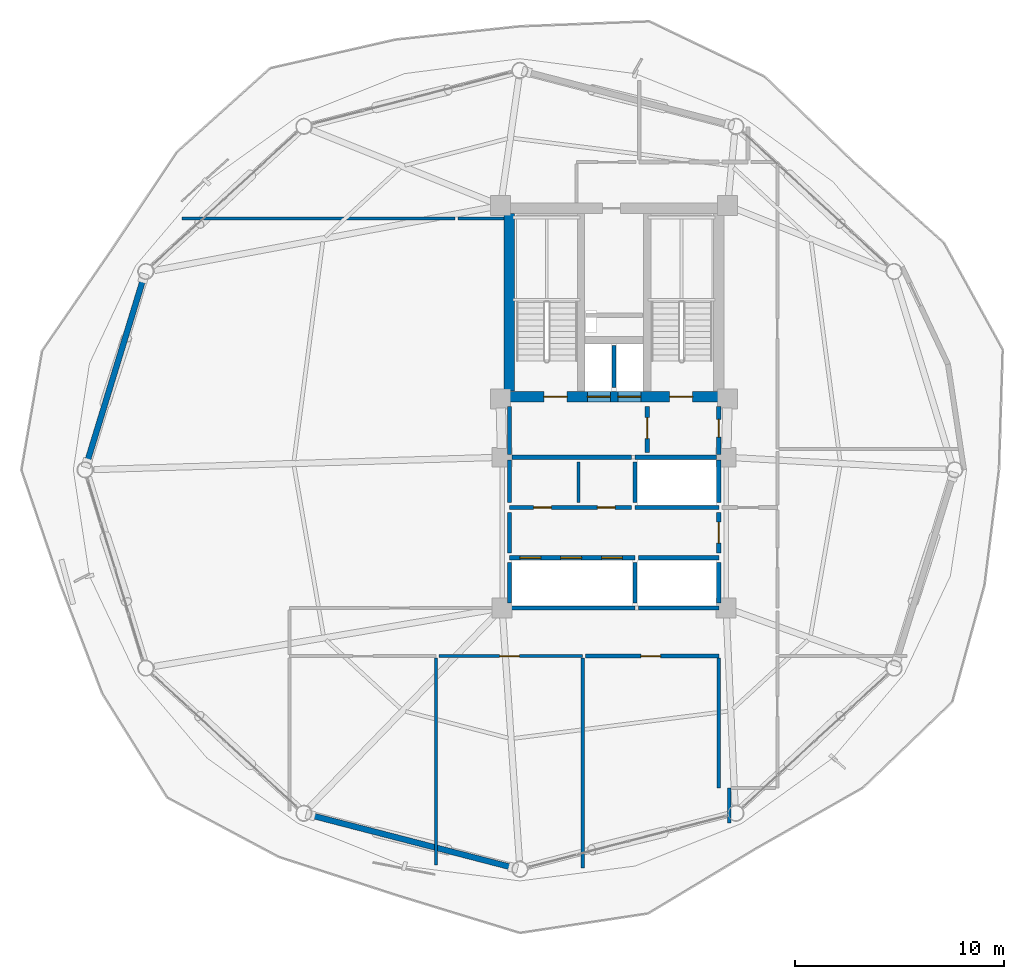
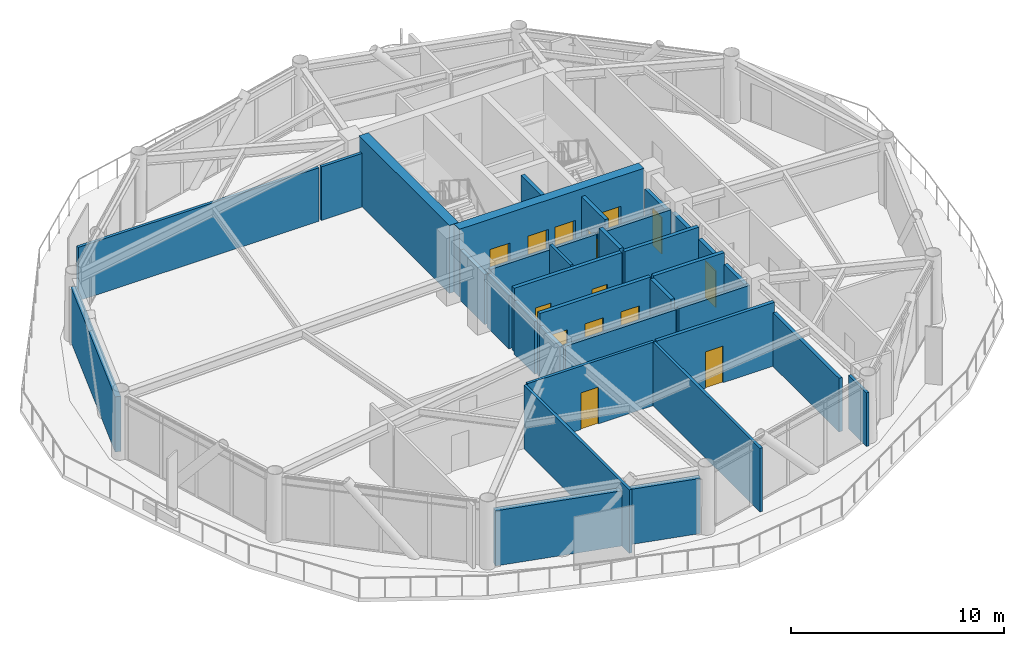
# One storey, part 18 of 23: 33 walls, 14 doors, 14 openings.
"""IFC4 building model written with IfcOpenShell, lengths in metres."""

from ifc_helpers import new_model, si_unit, direction, frame, frame_2d, origin, place, context, subcontext, project, spatial, rectangle, extrude, material, layer, layer_set, type_object, element, fill, save


model = new_model("IFC4")

# Units and contexts
model_context = context("Model", 3, precision=1e-05, world=origin(), true_north=direction((0.0, 1.0)))
body_context = subcontext(model_context, "Body", "Model", "MODEL_VIEW")
ifc_project = project(units=[si_unit("LENGTHUNIT", "METRE"), si_unit("AREAUNIT", "SQUARE_METRE"), si_unit("VOLUMEUNIT", "CUBIC_METRE"), si_unit("PLANEANGLEUNIT", "RADIAN"), si_unit("MASSUNIT", "GRAM", prefix="KILO")], contexts=[model_context])

# Site, building, storey
site_placement = place(None, origin())
site = spatial("IfcSite", under=ifc_project, at=site_placement, CompositionType="ELEMENT")
building_placement = place(site_placement, origin())
building = spatial("IfcBuilding", under=site, at=building_placement, Name="Varnakorn Sky Granary", CompositionType="ELEMENT")
storey_placement = place(building_placement, frame((0.0, 0.0, 150.0)))
storey = spatial("IfcBuildingStorey", under=building, at=storey_placement, Name="L37", CompositionType="ELEMENT", Elevation=150.0)

# Wall, openings, doors
ifc_material_1 = material(Name="Concrete C60/75", Category="concrete")
ifc_layer_1 = layer(ifc_material_1, 0.5, Name="Concrete C60/75")
ifc_layer_set_1 = layer_set([ifc_layer_1], Name="Concrete C60/75")
wall_type_1 = type_object("IfcWallType", Name="WT-CW-SHEAR-500", PredefinedType="SHEAR", material=ifc_layer_set_1)
wall_1_placement = place(storey_placement, frame((-2.0, 3.5, 0.0), z_axis=(0.0, 0.0, 1.0), x_axis=(1.0, 0.0, 0.0)))
wall_1 = element("IfcWall", 1, at=wall_1_placement, inside=storey, type_object=wall_type_1, Name="Core South Shear Wall L37", PredefinedType="SHEAR", context=body_context, shape_type="SweptSolid", body=[
    extrude(rectangle(XDim=10.0, YDim=0.5, at=frame_2d((5.0, 0.0))), origin(), (0.0, 0.0, 1.0), 3.89208984375),
])
opening_1_placement = place(wall_1_placement, frame((1.64990234375, 0.0, 0.0)))
opening_1 = element("IfcOpeningElement", 2, at=opening_1_placement, cuts=wall_1, Name="Opening FD-90", PredefinedType="OPENING", context=body_context, shape_type="SweptSolid", body=[
    extrude(rectangle(XDim=1.10009765625, YDim=2.14990234375, at=frame_2d((0.550048828125, 1.074951171875))), frame((0.0, 0.260009765625, 0.0), z_axis=(0.0, -1.0, 0.0), x_axis=(1.0, 0.0, 0.0)), (0.0, 0.0, 1.0), 0.52001953125),
])
opening_2_placement = place(wall_1_placement, frame((7.64990234375, 0.0, 0.0)))
opening_2 = element("IfcOpeningElement", 3, at=opening_2_placement, cuts=wall_1, Name="Opening FD-90", PredefinedType="OPENING", context=body_context, shape_type="SweptSolid", body=[
    extrude(rectangle(XDim=1.10009765625, YDim=2.14990234375, at=frame_2d((0.550048828125, 1.074951171875))), frame((0.0, 0.260009765625, 0.0), z_axis=(0.0, -1.0, 0.0), x_axis=(1.0, 0.0, 0.0)), (0.0, 0.0, 1.0), 0.52001953125),
])
opening_3_placement = place(wall_1_placement, frame((3.719970703125, 0.0, 0.0)))
opening_3 = element("IfcOpeningElement", 4, at=opening_3_placement, cuts=wall_1, Name="Opening LD-01", PredefinedType="OPENING", context=body_context, shape_type="SweptSolid", body=[
    extrude(rectangle(XDim=1.10009765625, YDim=2.199951171875, at=frame_2d((0.550048828125, 1.10009765625))), frame((0.0, 0.260009765625, 0.0), z_axis=(0.0, -1.0, 0.0), x_axis=(1.0, 0.0, 0.0)), (0.0, 0.0, 1.0), 0.52001953125),
])
opening_4_placement = place(wall_1_placement, frame((5.179931640625, 0.0, 0.0)))
opening_4 = element("IfcOpeningElement", 5, at=opening_4_placement, cuts=wall_1, Name="Opening LD-01", PredefinedType="OPENING", context=body_context, shape_type="SweptSolid", body=[
    extrude(rectangle(XDim=1.10009765625, YDim=2.199951171875, at=frame_2d((0.550048828125, 1.10009765625))), frame((0.0, 0.260009765625, 0.0), z_axis=(0.0, -1.0, 0.0), x_axis=(1.0, 0.0, 0.0)), (0.0, 0.0, 1.0), 0.52001953125),
])
ifc_material_2 = material(Name="Brushed Bronze Stainless Steel", Category="steel")
door_type_1 = type_object("IfcDoorType", Name="DR-LD-1100", OperationType="DOUBLE_DOOR_SLIDING", PredefinedType="DOOR", material=ifc_material_2)
door_1_placement = place(opening_3_placement, origin())
door_1 = element("IfcDoor", 6, at=door_1_placement, inside=storey, type_object=door_type_1, Name="Firefighting Lift FFL-1 Landing Door L37", OperationType="DOUBLE_DOOR_SLIDING", OverallHeight=2.199951171875, OverallWidth=1.10009765625, PredefinedType="DOOR", context=body_context, shape_type="SweptSolid", body=[
    extrude(rectangle(XDim=1.10009765625, YDim=2.199951171875, at=frame_2d((0.550048828125, 1.10009765625))), frame((0.0, 0.02490234375, 0.0), z_axis=(0.0, -1.0, 0.0), x_axis=(1.0, 0.0, 0.0)), (0.0, 0.0, 1.0), 0.050048828125),
])
fill(opening_3, door_1)
door_2_placement = place(opening_4_placement, origin())
door_2 = element("IfcDoor", 7, at=door_2_placement, inside=storey, type_object=door_type_1, Name="Firefighting Lift FFL-2 Landing Door L37", OperationType="DOUBLE_DOOR_SLIDING", OverallHeight=2.199951171875, OverallWidth=1.10009765625, PredefinedType="DOOR", context=body_context, shape_type="SweptSolid", body=[
    extrude(rectangle(XDim=1.10009765625, YDim=2.199951171875, at=frame_2d((0.550048828125, 1.10009765625))), frame((0.0, 0.02490234375, 0.0), z_axis=(0.0, -1.0, 0.0), x_axis=(1.0, 0.0, 0.0)), (0.0, 0.0, 1.0), 0.050048828125),
])
fill(opening_4, door_2)
ifc_material_3 = material(Name="Galvanised Painted Steel Leaf", Category="steel")
door_type_2 = type_object("IfcDoorType", Name="DR-STAIR-1100", OperationType="NOTDEFINED", PredefinedType="DOOR", material=ifc_material_3)
door_3_placement = place(opening_1_placement, origin())
door_3 = element("IfcDoor", 8, at=door_3_placement, inside=storey, type_object=door_type_2, Name="Stair ST-1 Protected Fire Door L37", OperationType="SINGLE_SWING_LEFT", OverallHeight=2.14990234375, OverallWidth=1.10009765625, PredefinedType="DOOR", context=body_context, shape_type="SweptSolid", body=[
    extrude(rectangle(XDim=1.10009765625, YDim=2.14990234375, at=frame_2d((0.550048828125, 1.074951171875))), frame((0.0, 0.02490234375, 0.0), z_axis=(0.0, -1.0, 0.0), x_axis=(1.0, 0.0, 0.0)), (0.0, 0.0, 1.0), 0.050048828125),
])
fill(opening_1, door_3)
door_4_placement = place(opening_2_placement, origin())
door_4 = element("IfcDoor", 9, at=door_4_placement, inside=storey, type_object=door_type_2, Name="Stair ST-2 Protected Fire Door L37", OperationType="SINGLE_SWING_RIGHT", OverallHeight=2.14990234375, OverallWidth=1.10009765625, PredefinedType="DOOR", context=body_context, shape_type="SweptSolid", body=[
    extrude(rectangle(XDim=1.10009765625, YDim=2.14990234375, at=frame_2d((0.550048828125, 1.074951171875))), frame((0.0, 0.02490234375, 0.0), z_axis=(0.0, -1.0, 0.0), x_axis=(1.0, 0.0, 0.0)), (0.0, 0.0, 1.0), 0.050048828125),
])
fill(opening_2, door_4)

# Walls
wall_2_placement = place(storey_placement, frame((-2.0, 3.760009765625, 0.0), z_axis=(0.0, 0.0, 1.0), x_axis=(0.0, 1.0, 0.0)))
element("IfcWall", 10, at=wall_2_placement, inside=storey, type_object=wall_type_1, Name="Core West Shear Wall L37", PredefinedType="SHEAR", context=body_context, shape_type="SweptSolid", body=[
    extrude(rectangle(XDim=8.47998046875, YDim=0.5, at=frame_2d((4.239990234375, 0.0))), origin(), (0.0, 0.0, 1.0), 3.89208984375),
])
ifc_material_4 = material(Name="Precast concrete C40/50", Category="concrete")
ifc_layer_2 = layer(ifc_material_4, 0.280029296875, Name="Precast concrete C40/50")
ifc_layer_set_2 = layer_set([ifc_layer_2], Name="Precast concrete C40/50")
wall_type_2 = type_object("IfcWallType", Name="WT-EW-CRN-280", PredefinedType="SOLIDWALL", material=ifc_layer_set_2)
wall_3_placement = place(storey_placement, frame((-22.1845703125, 0.3212890625, 0.0), z_axis=(0.0, 0.0, 1.0), x_axis=(0.29274484374, 0.956190596306, 0.0)))
element("IfcWall", 11, at=wall_3_placement, inside=storey, type_object=wall_type_2, Name="Agritech Insulated Precast Facade Wall L37-P06", PredefinedType="SOLIDWALL", context=body_context, shape_type="SweptSolid", body=[
    extrude(rectangle(XDim=9.23876953125, YDim=0.280029296875, at=frame_2d((4.619384765625, 0.0))), origin(), (0.0, 0.0, 1.0), 3.159912109375),
])
wall_4_placement = place(storey_placement, frame((-1.8251953125, -19.003662109375, 0.0), z_axis=(0.0, 0.0, 1.0), x_axis=(-0.968054026721, 0.250741702452, 0.0)))
element("IfcWall", 12, at=wall_4_placement, inside=storey, type_object=wall_type_2, Name="Agritech Insulated Precast Facade Wall L37-P09", PredefinedType="SOLIDWALL", context=body_context, shape_type="SweptSolid", body=[
    extrude(rectangle(XDim=9.992919921875, YDim=0.280029296875, at=frame_2d((4.99658203125, 0.0))), origin(), (0.0, 0.0, 1.0), 3.159912109375),
])

# Wall, opening, door
ifc_material_5 = material(Name="Autoclaved Aerated Concrete Blockwork", Category="masonry")
ifc_layer_3 = layer(ifc_material_5, 0.199951171875, Name="Autoclaved Aerated Concrete Blockwork")
ifc_layer_set_3 = layer_set([ifc_layer_3], Name="Autoclaved Aerated Concrete Blockwork")
wall_type_3 = type_object("IfcWallType", Name="WT-FIRE-200", PredefinedType="MOVABLE", material=ifc_layer_set_3)
wall_5_placement = place(storey_placement, frame((4.580078125, 0.830078125, 0.0), z_axis=(0.0, 0.0, 1.0), x_axis=(0.0, 1.0, 0.0)))
wall_5 = element("IfcWall", 13, at=wall_5_placement, inside=storey, type_object=wall_type_3, Name="Interior Partition Wall L37-014", PredefinedType="MOVABLE", context=body_context, shape_type="SweptSolid", body=[
    extrude(rectangle(XDim=2.18994140625, YDim=0.199951171875, at=frame_2d((1.094970703125, 0.0))), origin(), (0.0, 0.0, 1.0), 3.639892578125),
])
opening_5_placement = place(wall_5_placement, frame((0.659912109375, 0.0, 0.0)))
opening_5 = element("IfcOpeningElement", 14, at=opening_5_placement, cuts=wall_5, Name="Opening FD-60", PredefinedType="OPENING", context=body_context, shape_type="SweptSolid", body=[
    extrude(rectangle(XDim=1.0, YDim=2.10009765625, at=frame_2d((0.5, 1.050048828125))), frame((0.0, 0.10986328125, 0.0), z_axis=(0.0, -1.0, 0.0), x_axis=(1.0, 0.0, 0.0)), (0.0, 0.0, 1.0), 0.219970703125),
])
ifc_material_6 = material(Name="Acoustic Timber Fire Leaf", Category="wood")
door_type_3 = type_object("IfcDoorType", Name="DR-FD60-1000", OperationType="NOTDEFINED", PredefinedType="DOOR", material=ifc_material_6)
door_5_placement = place(opening_5_placement, origin())
door_5 = element("IfcDoor", 15, at=door_5_placement, inside=storey, type_object=door_type_3, Name="Interior Door L37-014-1", OperationType="SINGLE_SWING_RIGHT", OverallHeight=2.10009765625, OverallWidth=1.0, PredefinedType="DOOR", context=body_context, shape_type="SweptSolid", body=[
    extrude(rectangle(XDim=1.0, YDim=2.10009765625, at=frame_2d((0.5, 1.050048828125))), frame((0.0, 0.02490234375, 0.0), z_axis=(0.0, -1.0, 0.0), x_axis=(1.0, 0.0, 0.0)), (0.0, 0.0, 1.0), 0.050048828125),
])
fill(opening_5, door_5)

wall_6_placement = place(storey_placement, frame((8.0, 0.719970703125, 0.0), z_axis=(0.0, 0.0, 1.0), x_axis=(0.0, 1.0, 0.0)))
wall_6 = element("IfcWall", 16, at=wall_6_placement, inside=storey, type_object=wall_type_3, Name="Interior Partition Wall L37-015", PredefinedType="MOVABLE", context=body_context, shape_type="SweptSolid", body=[
    extrude(rectangle(XDim=2.300048828125, YDim=0.199951171875, at=frame_2d((1.14990234375, 0.0))), origin(), (0.0, 0.0, 1.0), 2.8720703125),
])
opening_6_placement = place(wall_6_placement, frame((0.844970703125, 0.0, 0.0)))
opening_6 = element("IfcOpeningElement", 17, at=opening_6_placement, cuts=wall_6, Name="Opening FD-60N", PredefinedType="OPENING", context=body_context, shape_type="SweptSolid", body=[
    extrude(rectangle(XDim=0.85009765625, YDim=2.10009765625, at=frame_2d((0.425048828125, 1.050048828125))), frame((0.0, 0.10986328125, 0.0), z_axis=(0.0, -1.0, 0.0), x_axis=(1.0, 0.0, 0.0)), (0.0, 0.0, 1.0), 0.219970703125),
])
door_type_4 = type_object("IfcDoorType", Name="DR-FD60-850", OperationType="NOTDEFINED", PredefinedType="DOOR", material=ifc_material_6)
door_6_placement = place(opening_6_placement, origin())
door_6 = element("IfcDoor", 18, at=door_6_placement, inside=storey, type_object=door_type_4, Name="Interior Door L37-015-1", OperationType="SINGLE_SWING_LEFT", OverallHeight=2.10009765625, OverallWidth=0.85009765625, PredefinedType="DOOR", context=body_context, shape_type="SweptSolid", body=[
    extrude(rectangle(XDim=0.85009765625, YDim=2.10009765625, at=frame_2d((0.425048828125, 1.050048828125))), frame((0.0, 0.02490234375, 0.0), z_axis=(0.0, -1.0, 0.0), x_axis=(1.0, 0.0, 0.0)), (0.0, 0.0, 1.0), 0.050048828125),
])
fill(opening_6, door_6)

wall_7_placement = place(storey_placement, frame((8.0, -3.969970703125, 0.0), z_axis=(0.0, 0.0, 1.0), x_axis=(0.0, 1.0, 0.0)))
wall_7 = element("IfcWall", 19, at=wall_7_placement, inside=storey, type_object=wall_type_3, Name="Interior Partition Wall L37-016", PredefinedType="MOVABLE", context=body_context, shape_type="SweptSolid", body=[
    extrude(rectangle(XDim=1.93994140625, YDim=0.199951171875, at=frame_2d((0.969970703125, 0.0))), origin(), (0.0, 0.0, 1.0), 3.072021484375),
])
opening_7_placement = place(wall_7_placement, frame((0.469970703125, 0.0, 0.0)))
opening_7 = element("IfcOpeningElement", 20, at=opening_7_placement, cuts=wall_7, Name="Opening FD-60", PredefinedType="OPENING", context=body_context, shape_type="SweptSolid", body=[
    extrude(rectangle(XDim=1.0, YDim=2.10009765625, at=frame_2d((0.5, 1.050048828125))), frame((0.0, 0.10986328125, 0.0), z_axis=(0.0, -1.0, 0.0), x_axis=(1.0, 0.0, 0.0)), (0.0, 0.0, 1.0), 0.219970703125),
])
door_7_placement = place(opening_7_placement, origin())
door_7 = element("IfcDoor", 21, at=door_7_placement, inside=storey, type_object=door_type_3, Name="Interior Door L37-016-1", OperationType="SINGLE_SWING_RIGHT", OverallHeight=2.10009765625, OverallWidth=1.0, PredefinedType="DOOR", context=body_context, shape_type="SweptSolid", body=[
    extrude(rectangle(XDim=1.0, YDim=2.10009765625, at=frame_2d((0.5, 1.050048828125))), frame((0.0, 0.02490234375, 0.0), z_axis=(0.0, -1.0, 0.0), x_axis=(1.0, 0.0, 0.0)), (0.0, 0.0, 1.0), 0.050048828125),
])
fill(opening_7, door_7)

# Wall, openings, doors
wall_8_placement = place(storey_placement, frame((-2.0, -1.800048828125, 0.0), z_axis=(0.0, 0.0, 1.0), x_axis=(1.0, 0.0, 0.0)))
wall_8 = element("IfcWall", 22, at=wall_8_placement, inside=storey, type_object=wall_type_3, Name="Interior Partition Wall L37-017", PredefinedType="MOVABLE", context=body_context, shape_type="SweptSolid", body=[
    extrude(rectangle(XDim=5.840087890625, YDim=0.199951171875, at=frame_2d((2.919921875, 0.0))), origin(), (0.0, 0.0, 1.0), 3.639892578125),
])
opening_8_placement = place(wall_8_placement, frame((1.14990234375, 0.0, 0.0)))
opening_8 = element("IfcOpeningElement", 23, at=opening_8_placement, cuts=wall_8, Name="Opening FD-60N", PredefinedType="OPENING", context=body_context, shape_type="SweptSolid", body=[
    extrude(rectangle(XDim=0.85009765625, YDim=2.10009765625, at=frame_2d((0.425048828125, 1.050048828125))), frame((0.0, 0.10986328125, 0.0), z_axis=(0.0, -1.0, 0.0), x_axis=(1.0, 0.0, 0.0)), (0.0, 0.0, 1.0), 0.219970703125),
])
opening_9_placement = place(wall_8_placement, frame((4.199951171875, 0.0, 0.0)))
opening_9 = element("IfcOpeningElement", 24, at=opening_9_placement, cuts=wall_8, Name="Opening FD-60N", PredefinedType="OPENING", context=body_context, shape_type="SweptSolid", body=[
    extrude(rectangle(XDim=0.85009765625, YDim=2.10009765625, at=frame_2d((0.425048828125, 1.050048828125))), frame((0.0, 0.10986328125, 0.0), z_axis=(0.0, -1.0, 0.0), x_axis=(1.0, 0.0, 0.0)), (0.0, 0.0, 1.0), 0.219970703125),
])
door_8_placement = place(opening_8_placement, origin())
door_8 = element("IfcDoor", 25, at=door_8_placement, inside=storey, type_object=door_type_4, Name="Interior Door L37-017-1", OperationType="SINGLE_SWING_LEFT", OverallHeight=2.10009765625, OverallWidth=0.85009765625, PredefinedType="DOOR", context=body_context, shape_type="SweptSolid", body=[
    extrude(rectangle(XDim=0.85009765625, YDim=2.10009765625, at=frame_2d((0.425048828125, 1.050048828125))), frame((0.0, 0.02490234375, 0.0), z_axis=(0.0, -1.0, 0.0), x_axis=(1.0, 0.0, 0.0)), (0.0, 0.0, 1.0), 0.050048828125),
])
fill(opening_8, door_8)
door_9_placement = place(opening_9_placement, origin())
door_9 = element("IfcDoor", 26, at=door_9_placement, inside=storey, type_object=door_type_4, Name="Interior Door L37-017-2", OperationType="SINGLE_SWING_RIGHT", OverallHeight=2.10009765625, OverallWidth=0.85009765625, PredefinedType="DOOR", context=body_context, shape_type="SweptSolid", body=[
    extrude(rectangle(XDim=0.85009765625, YDim=2.10009765625, at=frame_2d((0.425048828125, 1.050048828125))), frame((0.0, 0.02490234375, 0.0), z_axis=(0.0, -1.0, 0.0), x_axis=(1.0, 0.0, 0.0)), (0.0, 0.0, 1.0), 0.050048828125),
])
fill(opening_9, door_9)

# Walls
wall_9_placement = place(storey_placement, frame((-1.8798828125, 0.60009765625, 0.0), z_axis=(0.0, 0.0, 1.0), x_axis=(1.0, 0.0, 0.0)))
element("IfcWall", 27, at=wall_9_placement, inside=storey, type_object=wall_type_3, Name="Interior Partition Wall L37-028", PredefinedType="MOVABLE", context=body_context, shape_type="SweptSolid", body=[
    extrude(rectangle(XDim=5.719970703125, YDim=0.199951171875, at=frame_2d((2.85986328125, 0.0))), origin(), (0.0, 0.0, 1.0), 3.221923828125),
])
wall_10_placement = place(storey_placement, frame((-2.0, 0.719970703125, 0.0), z_axis=(0.0, 0.0, 1.0), x_axis=(0.0, 1.0, 0.0)))
element("IfcWall", 28, at=wall_10_placement, inside=storey, type_object=wall_type_3, Name="Interior Partition Wall L37-029", PredefinedType="MOVABLE", context=body_context, shape_type="SweptSolid", body=[
    extrude(rectangle(XDim=2.300048828125, YDim=0.199951171875, at=frame_2d((1.14990234375, 0.0))), origin(), (0.0, 0.0, 1.0), 2.8720703125),
])
wall_11_placement = place(storey_placement, frame((-2.0, -3.969970703125, 0.0), z_axis=(0.0, 0.0, 1.0), x_axis=(0.0, 1.0, 0.0)))
element("IfcWall", 29, at=wall_11_placement, inside=storey, type_object=wall_type_3, Name="Interior Partition Wall L37-030", PredefinedType="MOVABLE", context=body_context, shape_type="SweptSolid", body=[
    extrude(rectangle(XDim=1.93994140625, YDim=0.199951171875, at=frame_2d((0.969970703125, 0.0))), origin(), (0.0, 0.0, 1.0), 3.02197265625),
])
wall_12_placement = place(storey_placement, frame((-2.0, -1.570068359375, 0.0), z_axis=(0.0, 0.0, 1.0), x_axis=(0.0, 1.0, 0.0)))
element("IfcWall", 30, at=wall_12_placement, inside=storey, type_object=wall_type_3, Name="Interior Partition Wall L37-032", PredefinedType="MOVABLE", context=body_context, shape_type="SweptSolid", body=[
    extrude(rectangle(XDim=2.050048828125, YDim=0.199951171875, at=frame_2d((1.02490234375, 0.0))), origin(), (0.0, 0.0, 1.0), 3.02197265625),
])

# Wall, opening, door
ifc_material_7 = material(Name="Gypsum Plasterboard on Steel Stud", Category="steel")
ifc_layer_4 = layer(ifc_material_7, 0.14990234375, Name="Gypsum Plasterboard on Steel Stud")
ifc_layer_set_4 = layer_set([ifc_layer_4], Name="Gypsum Plasterboard on Steel Stud")
wall_type_4 = type_object("IfcWallType", Name="WT-PART-150", PredefinedType="PARTITIONING", material=ifc_layer_set_4)
wall_13_placement = place(storey_placement, frame((-5.364990234375, -8.89990234375, 0.0), z_axis=(0.0, 0.0, 1.0), x_axis=(1.0, 0.0, 0.0)))
wall_13 = element("IfcWall", 31, at=wall_13_placement, inside=storey, type_object=wall_type_4, Name="Interior Partition Wall L37-021", PredefinedType="PARTITIONING", context=body_context, shape_type="SweptSolid", body=[
    extrude(rectangle(XDim=6.864990234375, YDim=0.14990234375, at=frame_2d((3.4326171875, 0.0))), origin(), (0.0, 0.0, 1.0), 3.639892578125),
])
opening_10_placement = place(wall_13_placement, frame((2.889892578125, 0.0, 0.0)))
opening_10 = element("IfcOpeningElement", 32, at=opening_10_placement, cuts=wall_13, Name="Opening ID-95", PredefinedType="OPENING", context=body_context, shape_type="SweptSolid", body=[
    extrude(rectangle(XDim=0.949951171875, YDim=2.10009765625, at=frame_2d((0.47509765625, 1.050048828125))), frame((0.0, 0.0849609375, 0.0), z_axis=(0.0, -1.0, 0.0), x_axis=(1.0, 0.0, 0.0)), (0.0, 0.0, 1.0), 0.169921875),
])
ifc_material_8 = material(Name="Solid-Core Teak Veneer Leaf", Category="timber")
door_type_5 = type_object("IfcDoorType", Name="DR-INT-950", OperationType="NOTDEFINED", PredefinedType="DOOR", material=ifc_material_8)
door_10_placement = place(opening_10_placement, origin())
door_10 = element("IfcDoor", 33, at=door_10_placement, inside=storey, type_object=door_type_5, Name="Interior Door L37-021-1", OperationType="SINGLE_SWING_RIGHT", OverallHeight=2.10009765625, OverallWidth=0.949951171875, PredefinedType="DOOR", context=body_context, shape_type="SweptSolid", body=[
    extrude(rectangle(XDim=0.949951171875, YDim=2.10009765625, at=frame_2d((0.47509765625, 1.050048828125))), frame((0.0, 0.02490234375, 0.0), z_axis=(0.0, -1.0, 0.0), x_axis=(1.0, 0.0, 0.0)), (0.0, 0.0, 1.0), 0.050048828125),
])
fill(opening_10, door_10)

# Walls
wall_14_placement = place(storey_placement, frame((1.300048828125, -1.570068359375, 0.0), z_axis=(0.0, 0.0, 1.0), x_axis=(0.0, 1.0, 0.0)))
element("IfcWall", 34, at=wall_14_placement, inside=storey, type_object=wall_type_4, Name="Interior Partition Wall L37-031", PredefinedType="PARTITIONING", context=body_context, shape_type="SweptSolid", body=[
    extrude(rectangle(XDim=1.940185546875, YDim=0.14990234375, at=frame_2d((0.97021484375, 0.0))), origin(), (0.0, 0.0, 1.0), 3.639892578125),
])
wall_15_placement = place(storey_placement, frame((-5.5, -8.985107421875, 0.0), z_axis=(0.0, 0.0, 1.0), x_axis=(0.0, -1.0, 0.0)))
element("IfcWall", 35, at=wall_15_placement, inside=storey, type_object=wall_type_4, Name="Interior Partition Wall L37-034", PredefinedType="PARTITIONING", context=body_context, shape_type="SweptSolid", body=[
    extrude(rectangle(XDim=9.89599609375, YDim=0.14990234375, at=frame_2d((4.947998046875, 0.0))), origin(), (0.0, 0.0, 1.0), 3.639892578125),
])
wall_16_placement = place(storey_placement, frame((1.5, -8.985107421875, 0.0), z_axis=(0.0, 0.0, 1.0), x_axis=(0.0, -1.0, 0.0)))
element("IfcWall", 36, at=wall_16_placement, inside=storey, type_object=wall_type_4, Name="Interior Partition Wall L37-036", PredefinedType="PARTITIONING", context=body_context, shape_type="SweptSolid", body=[
    extrude(rectangle(XDim=10.02490234375, YDim=0.14990234375, at=frame_2d((5.012451171875, 0.0))), origin(), (0.0, 0.0, 1.0), 3.639892578125),
])
wall_17_placement = place(storey_placement, frame((8.5, -15.199951171875, 0.0), z_axis=(0.0, 0.0, 1.0), x_axis=(0.0, -1.0, 0.0)))
element("IfcWall", 37, at=wall_17_placement, inside=storey, type_object=wall_type_4, Name="Interior Partition Wall L37-038", PredefinedType="PARTITIONING", context=body_context, shape_type="SweptSolid", body=[
    extrude(rectangle(XDim=1.674072265625, YDim=0.14990234375, at=frame_2d((0.8369140625, 0.0))), origin(), (0.0, 0.0, 1.0), 3.072021484375),
])
wall_18_placement = place(storey_placement, frame((-17.637939453125, 12.0, 0.0), z_axis=(0.0, 0.0, 1.0), x_axis=(1.0, 0.0, 0.0)))
element("IfcWall", 38, at=wall_18_placement, inside=storey, type_object=wall_type_4, Name="Interior Partition Wall L37-042", PredefinedType="PARTITIONING", context=body_context, shape_type="SweptSolid", body=[
    extrude(rectangle(XDim=13.037841796875, YDim=0.14990234375, at=frame_2d((6.51904296875, 0.0))), origin(), (0.0, 0.0, 1.0), 3.072021484375),
])
wall_19_placement = place(storey_placement, frame((-4.465087890625, 12.0, 0.0), z_axis=(0.0, 0.0, 1.0), x_axis=(1.0, 0.0, 0.0)))
element("IfcWall", 39, at=wall_19_placement, inside=storey, type_object=wall_type_4, Name="Interior Partition Wall L37-043", PredefinedType="PARTITIONING", context=body_context, shape_type="SweptSolid", body=[
    extrude(rectangle(XDim=2.205078125, YDim=0.14990234375, at=frame_2d((1.1025390625, 0.0))), origin(), (0.0, 0.0, 1.0), 3.072021484375),
])

# Wall, opening, door
ifc_material_9 = material(Name="Moisture-Resistant Gypsum on Stud", Category="gypsum")
ifc_layer_5 = layer(ifc_material_9, 0.179931640625, Name="Moisture-Resistant Gypsum on Stud")
ifc_layer_set_5 = layer_set([ifc_layer_5], Name="Moisture-Resistant Gypsum on Stud")
wall_type_5 = type_object("IfcWallType", Name="WT-PLUMB-180", PredefinedType="PLUMBINGWALL", material=ifc_layer_set_5)
wall_20_placement = place(storey_placement, frame((1.635009765625, -8.89990234375, 0.0), z_axis=(0.0, 0.0, 1.0), x_axis=(1.0, 0.0, 0.0)))
wall_20 = element("IfcWall", 40, at=wall_20_placement, inside=storey, type_object=wall_type_5, Name="Interior Partition Wall L37-022", PredefinedType="PLUMBINGWALL", context=body_context, shape_type="SweptSolid", body=[
    extrude(rectangle(XDim=6.364990234375, YDim=0.179931640625, at=frame_2d((3.1826171875, 0.0))), origin(), (0.0, 0.0, 1.0), 3.639892578125),
])
opening_11_placement = place(wall_20_placement, frame((2.639892578125, 0.0, 0.0)))
opening_11 = element("IfcOpeningElement", 41, at=opening_11_placement, cuts=wall_20, Name="Opening ID-95", PredefinedType="OPENING", context=body_context, shape_type="SweptSolid", body=[
    extrude(rectangle(XDim=0.949951171875, YDim=2.10009765625, at=frame_2d((0.47509765625, 1.050048828125))), frame((0.0, 0.10009765625, 0.0), z_axis=(0.0, -1.0, 0.0), x_axis=(1.0, 0.0, 0.0)), (0.0, 0.0, 1.0), 0.199951171875),
])
door_11_placement = place(opening_11_placement, origin())
door_11 = element("IfcDoor", 42, at=door_11_placement, inside=storey, type_object=door_type_5, Name="Interior Door L37-022-1", OperationType="SINGLE_SWING_LEFT", OverallHeight=2.10009765625, OverallWidth=0.949951171875, PredefinedType="DOOR", context=body_context, shape_type="SweptSolid", body=[
    extrude(rectangle(XDim=0.949951171875, YDim=2.10009765625, at=frame_2d((0.47509765625, 1.050048828125))), frame((0.0, 0.02490234375, 0.0), z_axis=(0.0, -1.0, 0.0), x_axis=(1.0, 0.0, 0.0)), (0.0, 0.0, 1.0), 0.050048828125),
])
fill(opening_11, door_11)

# Walls
wall_21_placement = place(storey_placement, frame((8.0, -9.0, 0.0), z_axis=(0.0, 0.0, 1.0), x_axis=(0.0, -1.0, 0.0)))
element("IfcWall", 43, at=wall_21_placement, inside=storey, type_object=wall_type_5, Name="Interior Partition Wall L37-037", PredefinedType="PLUMBINGWALL", context=body_context, shape_type="SweptSolid", body=[
    extrude(rectangle(XDim=6.199951171875, YDim=0.179931640625, at=frame_2d((3.10009765625, 0.0))), origin(), (0.0, 0.0, 1.0), 3.072021484375),
])
ifc_layer_6 = layer(ifc_material_5, 0.199951171875, Name="Autoclaved Aerated Concrete Blockwork")
ifc_layer_set_6 = layer_set([ifc_layer_6], Name="Autoclaved Aerated Concrete Blockwork")
wall_type_6 = type_object("IfcWallType", Name="WT-SHAFT-200", PredefinedType="SOLIDWALL", material=ifc_layer_set_6)
wall_22_placement = place(storey_placement, frame((3.0, 3.919921875, 0.0), z_axis=(0.0, 0.0, 1.0), x_axis=(0.0, 1.0, 0.0)))
element("IfcWall", 44, at=wall_22_placement, inside=storey, type_object=wall_type_6, Name="Interior Partition Wall L37-001", PredefinedType="SOLIDWALL", context=body_context, shape_type="SweptSolid", body=[
    extrude(rectangle(XDim=2.030029296875, YDim=0.199951171875, at=frame_2d((1.01513671875, 0.0))), origin(), (0.0, 0.0, 1.0), 3.639892578125),
])
wall_23_placement = place(storey_placement, frame((4.0, 0.60009765625, 0.0), z_axis=(0.0, 0.0, 1.0), x_axis=(1.0, 0.0, 0.0)))
element("IfcWall", 45, at=wall_23_placement, inside=storey, type_object=wall_type_6, Name="Interior Partition Wall L37-003", PredefinedType="SOLIDWALL", context=body_context, shape_type="SweptSolid", body=[
    extrude(rectangle(XDim=3.8798828125, YDim=0.199951171875, at=frame_2d((1.93994140625, 0.0))), origin(), (0.0, 0.0, 1.0), 3.221923828125),
])
wall_24_placement = place(storey_placement, frame((4.0, -1.800048828125, 0.0), z_axis=(0.0, 0.0, 1.0), x_axis=(1.0, 0.0, 0.0)))
element("IfcWall", 46, at=wall_24_placement, inside=storey, type_object=wall_type_6, Name="Interior Partition Wall L37-004", PredefinedType="SOLIDWALL", context=body_context, shape_type="SweptSolid", body=[
    extrude(rectangle(XDim=4.0, YDim=0.199951171875, at=frame_2d((2.0, 0.0))), origin(), (0.0, 0.0, 1.0), 3.639892578125),
])
wall_25_placement = place(storey_placement, frame((4.0, -1.570068359375, 0.0), z_axis=(0.0, 0.0, 1.0), x_axis=(0.0, 1.0, 0.0)))
element("IfcWall", 47, at=wall_25_placement, inside=storey, type_object=wall_type_6, Name="Interior Partition Wall L37-005", PredefinedType="SOLIDWALL", context=body_context, shape_type="SweptSolid", body=[
    extrude(rectangle(XDim=1.940185546875, YDim=0.199951171875, at=frame_2d((0.97021484375, 0.0))), origin(), (0.0, 0.0, 1.0), 3.639892578125),
])
wall_26_placement = place(storey_placement, frame((8.0, -1.570068359375, 0.0), z_axis=(0.0, 0.0, 1.0), x_axis=(0.0, 1.0, 0.0)))
element("IfcWall", 48, at=wall_26_placement, inside=storey, type_object=wall_type_6, Name="Interior Partition Wall L37-006", PredefinedType="SOLIDWALL", context=body_context, shape_type="SweptSolid", body=[
    extrude(rectangle(XDim=2.050048828125, YDim=0.199951171875, at=frame_2d((1.02490234375, 0.0))), origin(), (0.0, 0.0, 1.0), 3.072021484375),
])

# Wall, openings, doors
wall_27_placement = place(storey_placement, frame((-2.0, -4.199951171875, 0.0), z_axis=(0.0, 0.0, 1.0), x_axis=(1.0, 0.0, 0.0)))
wall_27 = element("IfcWall", 49, at=wall_27_placement, inside=storey, type_object=wall_type_6, Name="Interior Partition Wall L37-007", PredefinedType="SOLIDWALL", context=body_context, shape_type="SweptSolid", body=[
    extrude(rectangle(XDim=6.0, YDim=0.199951171875, at=frame_2d((3.0, 0.0))), origin(), (0.0, 0.0, 1.0), 3.639892578125),
])
opening_12_placement = place(wall_27_placement, frame((0.5, 0.0, 0.0)))
opening_12 = element("IfcOpeningElement", 50, at=opening_12_placement, cuts=wall_27, Name="Opening LD-03", PredefinedType="OPENING", context=body_context, shape_type="SweptSolid", body=[
    extrude(rectangle(XDim=1.0, YDim=2.199951171875, at=frame_2d((0.5, 1.10009765625))), frame((0.0, 0.10986328125, 0.0), z_axis=(0.0, -1.0, 0.0), x_axis=(1.0, 0.0, 0.0)), (0.0, 0.0, 1.0), 0.219970703125),
])
opening_13_placement = place(wall_27_placement, frame((2.449951171875, 0.0, 0.0)))
opening_13 = element("IfcOpeningElement", 51, at=opening_13_placement, cuts=wall_27, Name="Opening LD-03", PredefinedType="OPENING", context=body_context, shape_type="SweptSolid", body=[
    extrude(rectangle(XDim=1.0, YDim=2.199951171875, at=frame_2d((0.5, 1.10009765625))), frame((0.0, 0.10986328125, 0.0), z_axis=(0.0, -1.0, 0.0), x_axis=(1.0, 0.0, 0.0)), (0.0, 0.0, 1.0), 0.219970703125),
])
opening_14_placement = place(wall_27_placement, frame((4.39990234375, 0.0, 0.0)))
opening_14 = element("IfcOpeningElement", 52, at=opening_14_placement, cuts=wall_27, Name="Opening LD-03", PredefinedType="OPENING", context=body_context, shape_type="SweptSolid", body=[
    extrude(rectangle(XDim=1.0, YDim=2.199951171875, at=frame_2d((0.5, 1.10009765625))), frame((0.0, 0.10986328125, 0.0), z_axis=(0.0, -1.0, 0.0), x_axis=(1.0, 0.0, 0.0)), (0.0, 0.0, 1.0), 0.219970703125),
])
door_type_6 = type_object("IfcDoorType", Name="DR-LD-1000", OperationType="DOUBLE_DOOR_SLIDING", PredefinedType="DOOR", material=ifc_material_2)
door_12_placement = place(opening_12_placement, origin())
door_12 = element("IfcDoor", 53, at=door_12_placement, inside=storey, type_object=door_type_6, Name="Passenger Lift PL-M1 Sliding Landing Door L37", OperationType="DOUBLE_DOOR_SLIDING", OverallHeight=2.199951171875, OverallWidth=1.0, PredefinedType="DOOR", context=body_context, shape_type="SweptSolid", body=[
    extrude(rectangle(XDim=1.0, YDim=2.199951171875, at=frame_2d((0.5, 1.10009765625))), frame((0.0, 0.02490234375, 0.0), z_axis=(0.0, -1.0, 0.0), x_axis=(1.0, 0.0, 0.0)), (0.0, 0.0, 1.0), 0.050048828125),
])
fill(opening_12, door_12)
door_13_placement = place(opening_13_placement, origin())
door_13 = element("IfcDoor", 54, at=door_13_placement, inside=storey, type_object=door_type_6, Name="Passenger Lift PL-M2 Sliding Landing Door L37", OperationType="DOUBLE_DOOR_SLIDING", OverallHeight=2.199951171875, OverallWidth=1.0, PredefinedType="DOOR", context=body_context, shape_type="SweptSolid", body=[
    extrude(rectangle(XDim=1.0, YDim=2.199951171875, at=frame_2d((0.5, 1.10009765625))), frame((0.0, 0.02490234375, 0.0), z_axis=(0.0, -1.0, 0.0), x_axis=(1.0, 0.0, 0.0)), (0.0, 0.0, 1.0), 0.050048828125),
])
fill(opening_13, door_13)
door_14_placement = place(opening_14_placement, origin())
door_14 = element("IfcDoor", 55, at=door_14_placement, inside=storey, type_object=door_type_6, Name="Passenger Lift PL-M3 Sliding Landing Door L37", OperationType="DOUBLE_DOOR_SLIDING", OverallHeight=2.199951171875, OverallWidth=1.0, PredefinedType="DOOR", context=body_context, shape_type="SweptSolid", body=[
    extrude(rectangle(XDim=1.0, YDim=2.199951171875, at=frame_2d((0.5, 1.10009765625))), frame((0.0, 0.02490234375, 0.0), z_axis=(0.0, -1.0, 0.0), x_axis=(1.0, 0.0, 0.0)), (0.0, 0.0, 1.0), 0.050048828125),
])
fill(opening_14, door_14)

# Walls
wall_28_placement = place(storey_placement, frame((-2.0, -6.60009765625, 0.0), z_axis=(0.0, 0.0, 1.0), x_axis=(1.0, 0.0, 0.0)))
element("IfcWall", 56, at=wall_28_placement, inside=storey, type_object=wall_type_6, Name="Interior Partition Wall L37-008", PredefinedType="SOLIDWALL", context=body_context, shape_type="SweptSolid", body=[
    extrude(rectangle(XDim=6.0, YDim=0.199951171875, at=frame_2d((3.0, 0.0))), origin(), (0.0, 0.0, 1.0), 3.221923828125),
])
wall_29_placement = place(storey_placement, frame((-2.0, -6.3701171875, 0.0), z_axis=(0.0, 0.0, 1.0), x_axis=(0.0, 1.0, 0.0)))
element("IfcWall", 57, at=wall_29_placement, inside=storey, type_object=wall_type_6, Name="Interior Partition Wall L37-009", PredefinedType="SOLIDWALL", context=body_context, shape_type="SweptSolid", body=[
    extrude(rectangle(XDim=1.940185546875, YDim=0.199951171875, at=frame_2d((0.97021484375, 0.0))), origin(), (0.0, 0.0, 1.0), 3.02197265625),
])
wall_30_placement = place(storey_placement, frame((4.159912109375, -4.199951171875, 0.0), z_axis=(0.0, 0.0, 1.0), x_axis=(1.0, 0.0, 0.0)))
element("IfcWall", 58, at=wall_30_placement, inside=storey, type_object=wall_type_6, Name="Interior Partition Wall L37-010", PredefinedType="SOLIDWALL", context=body_context, shape_type="SweptSolid", body=[
    extrude(rectangle(XDim=3.840087890625, YDim=0.199951171875, at=frame_2d((1.919921875, 0.0))), origin(), (0.0, 0.0, 1.0), 3.639892578125),
])
wall_31_placement = place(storey_placement, frame((4.159912109375, -6.60009765625, 0.0), z_axis=(0.0, 0.0, 1.0), x_axis=(1.0, 0.0, 0.0)))
element("IfcWall", 59, at=wall_31_placement, inside=storey, type_object=wall_type_6, Name="Interior Partition Wall L37-011", PredefinedType="SOLIDWALL", context=body_context, shape_type="SweptSolid", body=[
    extrude(rectangle(XDim=3.840087890625, YDim=0.199951171875, at=frame_2d((1.919921875, 0.0))), origin(), (0.0, 0.0, 1.0), 3.221923828125),
])
wall_32_placement = place(storey_placement, frame((4.0, -6.3701171875, 0.0), z_axis=(0.0, 0.0, 1.0), x_axis=(0.0, 1.0, 0.0)))
element("IfcWall", 60, at=wall_32_placement, inside=storey, type_object=wall_type_6, Name="Interior Partition Wall L37-012", PredefinedType="SOLIDWALL", context=body_context, shape_type="SweptSolid", body=[
    extrude(rectangle(XDim=1.940185546875, YDim=0.199951171875, at=frame_2d((0.97021484375, 0.0))), origin(), (0.0, 0.0, 1.0), 3.639892578125),
])
wall_33_placement = place(storey_placement, frame((8.0, -6.3701171875, 0.0), z_axis=(0.0, 0.0, 1.0), x_axis=(0.0, 1.0, 0.0)))
element("IfcWall", 61, at=wall_33_placement, inside=storey, type_object=wall_type_6, Name="Interior Partition Wall L37-013", PredefinedType="SOLIDWALL", context=body_context, shape_type="SweptSolid", body=[
    extrude(rectangle(XDim=1.940185546875, YDim=0.199951171875, at=frame_2d((0.97021484375, 0.0))), origin(), (0.0, 0.0, 1.0), 3.072021484375),
])

save(model, "model.ifc")
